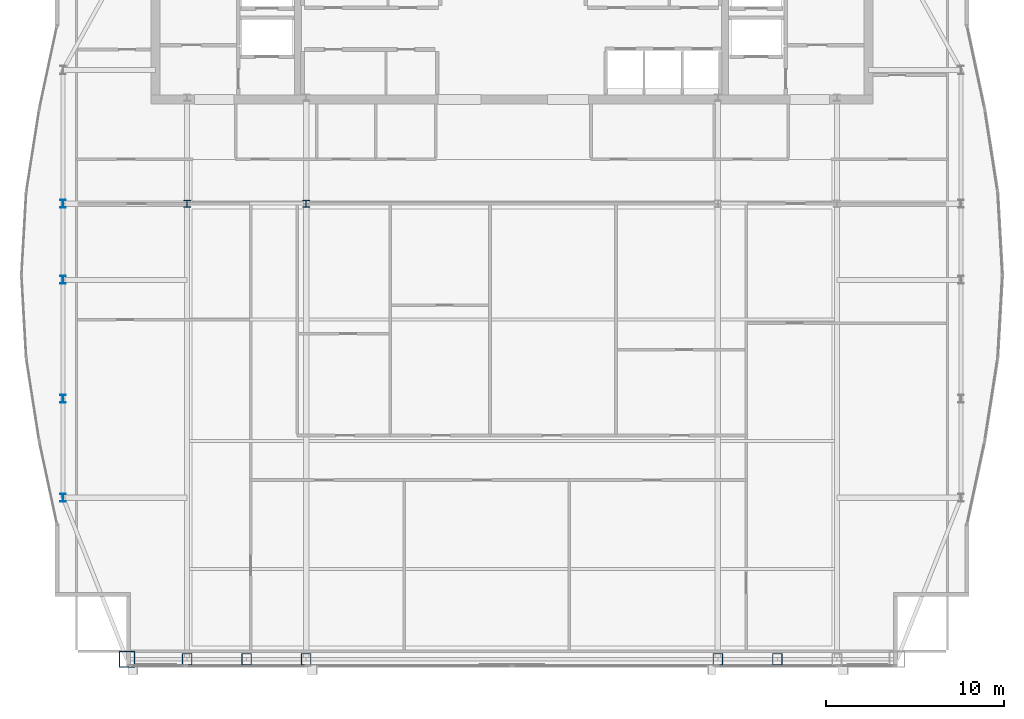
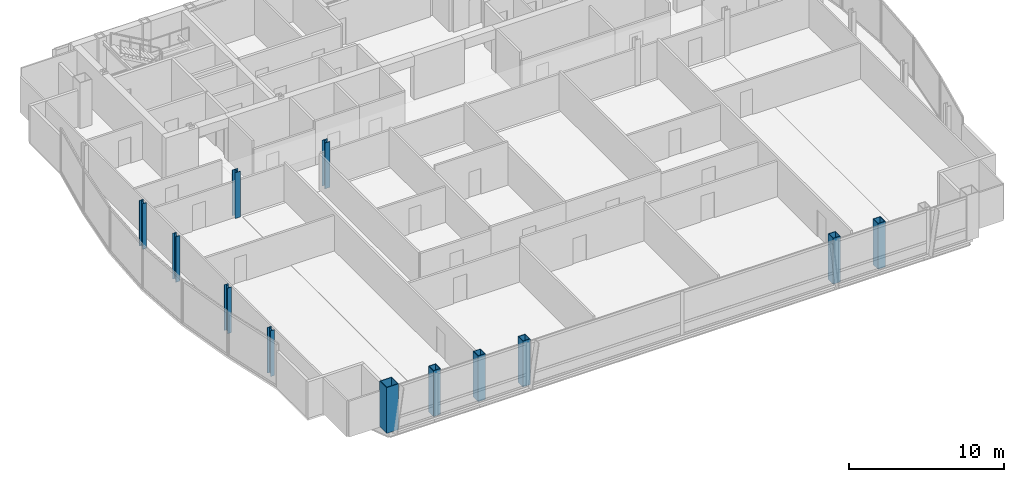
# One storey, part 1 of 29: 12 columns.
"""IFC4 building model written with IfcOpenShell, lengths in metres."""

from ifc_helpers import new_model, si_unit, direction, frame, origin, origin_2d, place, context, subcontext, project, spatial, hollow_rectangle, i_section, extrude, material, material_profile, profile_set, type_object, element, save


model = new_model("IFC4")

# Units and contexts
model_context = context("Model", 3, precision=1e-05, world=origin(), true_north=direction((0.0, 1.0)))
body_context = subcontext(model_context, "Body", "Model", "MODEL_VIEW")
ifc_project = project(units=[si_unit("LENGTHUNIT", "METRE"), si_unit("AREAUNIT", "SQUARE_METRE"), si_unit("VOLUMEUNIT", "CUBIC_METRE"), si_unit("PLANEANGLEUNIT", "RADIAN"), si_unit("MASSUNIT", "GRAM", prefix="KILO")], contexts=[model_context])

# Site, building, storey
site_placement = place(None, origin())
site = spatial("IfcSite", under=ifc_project, at=site_placement, CompositionType="ELEMENT")
building_placement = place(site_placement, origin())
building = spatial("IfcBuilding", under=site, at=building_placement, Name="Khoronbel Lancet Exchange", CompositionType="ELEMENT")
storey_placement = place(building_placement, frame((0.0, 0.0, 329.0)))
storey = spatial("IfcBuildingStorey", under=building, at=storey_placement, Name="L85", CompositionType="ELEMENT", Elevation=329.0)

# Columns
ifc_material_1 = material(Name="Steel S460", Category="steel")
ifc_material_profile_1 = material_profile(ifc_material_1, hollow_rectangle(XDim=0.550048828125, YDim=0.64990234375, WallThickness=0.0400390625, at=origin_2d()), Name="BOX 650x550x40")
ifc_profile_set_1 = profile_set([ifc_material_profile_1], Name="Steel S460")
column_type_1 = type_object("IfcColumnType", Name="COL-EC4", PredefinedType="COLUMN", material=ifc_profile_set_1)
for number, where, z_axis, x_axis, name in (
    (1, (18.22509765625, 10.14990234375, 0.0), (0.0, 0.0, 1.0), (1.0, 0.0, 0.0), "Structural column SC-W1 L85"),
    (2, (21.5625, 10.14990234375, 0.0), (0.0, 0.0, 1.0), (1.0, 0.0, 0.0), "Structural column SC-WM L85"),
    (3, (24.89990234375, 10.14990234375, 0.0), (0.0, 0.0, 1.0), (1.0, 0.0, 0.0), "Structural column SC-W2 L85"),
    (4, (48.0, 10.14990234375, 0.0), (0.0, 0.0, 1.0), (1.0, 0.0, 0.0), "Structural column SC-E1 L85"),
    (5, (51.33740234375, 10.14990234375, 0.0), (0.0, 0.0, 1.0), (1.0, 0.0, 0.0), "Structural column SC-EM L85"),
):
    element("IfcColumn", number, at=place(storey_placement, frame(where, z_axis=z_axis, x_axis=x_axis)), inside=storey, type_object=column_type_1, Name=name, PredefinedType="COLUMN", context=body_context, shape_type="SweptSolid", body=[
        extrude(hollow_rectangle(XDim=0.550048828125, YDim=0.64990234375, WallThickness=0.0400390625, at=origin_2d()), origin(), (0.0, 0.0, 1.0), 3.60009765625),
    ])
ifc_material_2 = material(Name="Steel S355", Category="steel")
ifc_material_profile_2 = material_profile(ifc_material_2, i_section(OverallWidth=0.39892578125, OverallDepth=0.39306640625, WebThickness=0.022705078125, FlangeThickness=0.03662109375, at=origin_2d()), Name="HD 400x287")
ifc_profile_set_2 = profile_set([ifc_material_profile_2], Name="Steel S355")
column_type_2 = type_object("IfcColumnType", Name="COL-IC4", PredefinedType="COLUMN", material=ifc_profile_set_2)
for number, where, z_axis, x_axis, name in (
    (6, (18.22509765625, 35.699951171875, 0.0), (0.0, 0.0, 1.0), (1.0, 0.0, 0.0), "Spine gravity column TC1 L85"),
    (7, (24.89990234375, 35.699951171875, 0.0), (0.0, 0.0, 1.0), (1.0, 0.0, 0.0), "Spine gravity column TC2 L85"),
):
    element("IfcColumn", number, at=place(storey_placement, frame(where, z_axis=z_axis, x_axis=x_axis)), inside=storey, type_object=column_type_2, Name=name, PredefinedType="COLUMN", context=body_context, shape_type="SweptSolid", body=[
        extrude(i_section(OverallWidth=0.39892578125, OverallDepth=0.39306640625, WebThickness=0.022705078125, FlangeThickness=0.03662109375, at=origin_2d()), origin(), (0.0, 0.0, 1.0), 3.60009765625),
    ])
ifc_material_profile_3 = material_profile(ifc_material_2, i_section(OverallWidth=0.300048828125, OverallDepth=0.449951171875, WebThickness=0.013916015625, FlangeThickness=0.02587890625, at=origin_2d()), Name="HEB 450")
ifc_profile_set_3 = profile_set([ifc_material_profile_3], Name="Steel S355")
column_type_3 = type_object("IfcColumnType", Name="COL-LC2", PredefinedType="COLUMN", material=ifc_profile_set_3)
for number, where, z_axis, x_axis, name in (
    (8, (11.27001953125, 19.199951171875, 0.0), (0.0, 0.0, 1.0), (1.0, 0.0, 0.0), "Structural column WC-1 L85"),
    (9, (11.27001953125, 24.75, 0.0), (0.0, 0.0, 1.0), (1.0, 0.0, 0.0), "Structural column WC-2 L85"),
    (10, (11.27001953125, 31.425048828125, 0.0), (0.0, 0.0, 1.0), (1.0, 0.0, 0.0), "Structural column WC-M L85"),
    (11, (11.27001953125, 35.699951171875, 0.0), (0.0, 0.0, 1.0), (1.0, 0.0, 0.0), "Structural column WC-3 L85"),
):
    element("IfcColumn", number, at=place(storey_placement, frame(where, z_axis=z_axis, x_axis=x_axis)), inside=storey, type_object=column_type_3, Name=name, PredefinedType="COLUMN", context=body_context, shape_type="SweptSolid", body=[
        extrude(i_section(OverallWidth=0.300048828125, OverallDepth=0.449951171875, WebThickness=0.013916015625, FlangeThickness=0.02587890625, at=origin_2d()), origin(), (0.0, 0.0, 1.0), 3.60009765625),
    ])
ifc_material_profile_4 = material_profile(ifc_material_1, hollow_rectangle(XDim=0.89990234375, YDim=0.89990234375, WallThickness=0.050048828125, at=origin_2d()), Name="BOX 900x900x50")
ifc_profile_set_4 = profile_set([ifc_material_profile_4], Name="Steel S460")
column_type_4 = type_object("IfcColumnType", Name="COL-MC7", PredefinedType="COLUMN", material=ifc_profile_set_4)
column_placement = place(storey_placement, frame((14.85009765625, 10.14990234375, 0.0), z_axis=(0.0, 0.0, 1.0), x_axis=(1.0, 0.0, 0.0)))
element("IfcColumn", 12, at=column_placement, inside=storey, type_object=column_type_4, Name="Structural column MC-SW L85", PredefinedType="COLUMN", context=body_context, shape_type="SweptSolid", body=[
    extrude(hollow_rectangle(XDim=0.89990234375, YDim=0.89990234375, WallThickness=0.050048828125, at=origin_2d()), origin(), (0.0, 0.0, 1.0), 3.60009765625),
])

save(model, "model.ifc")
